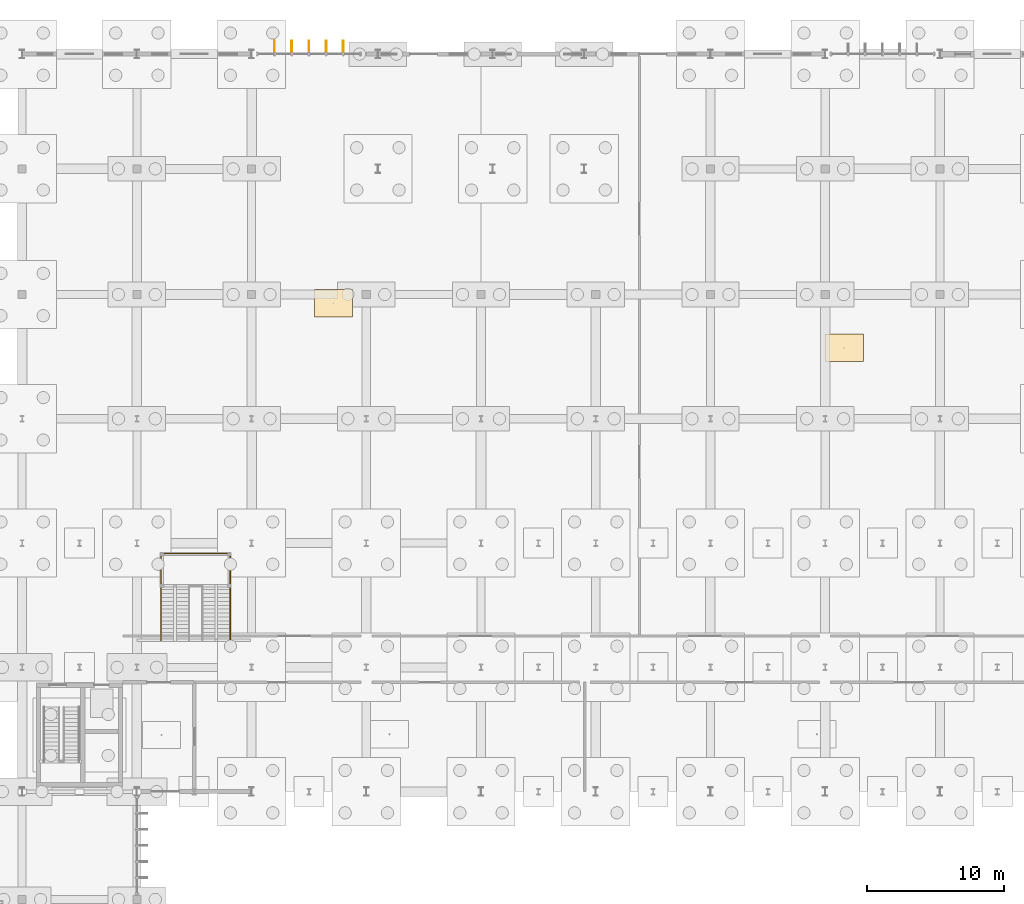
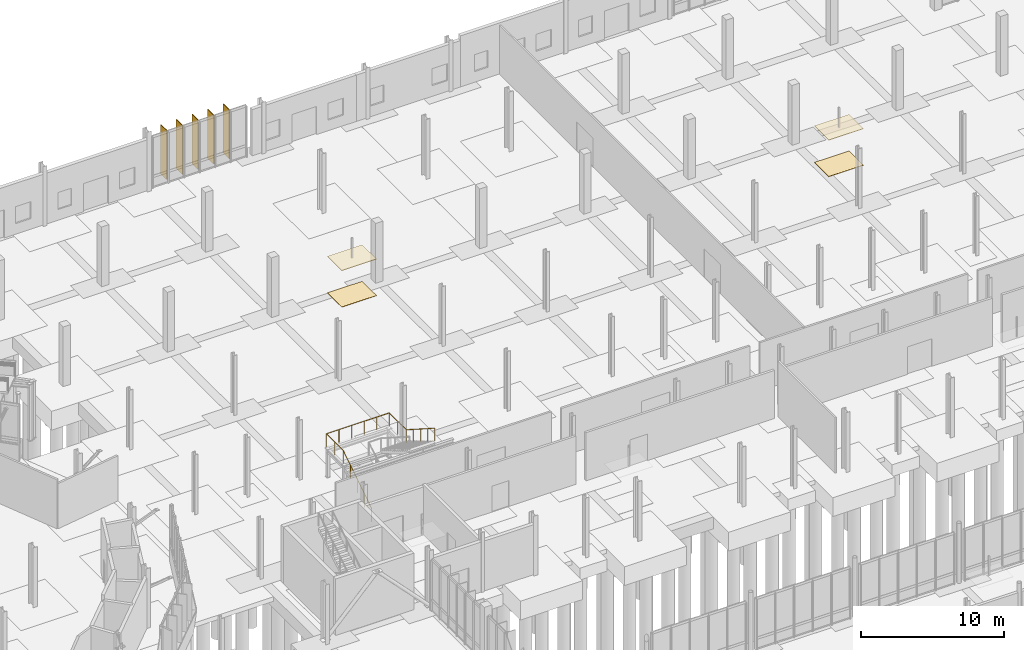
# One storey, part 115 of 119: 5 shading devices, 4 coverings, 1 railing.
"""IFC4 building model written with IfcOpenShell, lengths in metres."""

from ifc_helpers import new_model, si_unit, derived_unit, direction, frame, origin, origin_2d, place, context, subcontext, project, spatial, polyline, rectangle, circle, outline, extrude, material, layer, layer_set, type_object, element, save


model = new_model("IFC4")

# Units and contexts
model_context = context("Model", 3, precision=1e-05, world=origin(), true_north=direction((0.0, 1.0)))
body_context = subcontext(model_context, "Body", "Model", "MODEL_VIEW")
ifc_project = project(units=[si_unit("LENGTHUNIT", "METRE"), si_unit("AREAUNIT", "SQUARE_METRE"), si_unit("VOLUMEUNIT", "CUBIC_METRE"), si_unit("PLANEANGLEUNIT", "RADIAN"), si_unit("MASSUNIT", "GRAM", prefix="KILO"), derived_unit("THERMALTRANSMITTANCEUNIT", [(si_unit("MASSUNIT", "GRAM", prefix="KILO"), 1), (si_unit("TIMEUNIT", "SECOND"), -3), (si_unit("THERMODYNAMICTEMPERATUREUNIT", "KELVIN"), -1)])], contexts=[model_context])

# Site, building, storey
site_placement = place(None, origin())
site = spatial("IfcSite", under=ifc_project, at=site_placement, CompositionType="ELEMENT")
building_placement = place(site_placement, origin())
building = spatial("IfcBuilding", under=site, at=building_placement, Name="Makaiwela Harbour Ferry Terminal", CompositionType="ELEMENT")
storey_placement = place(building_placement, origin())
storey = spatial("IfcBuildingStorey", under=building, at=storey_placement, Name="L00", CompositionType="ELEMENT", Elevation=0.0)

# Shading devices
ifc_material_1 = material(Name="Thermally modified Accoya timber and anodised aluminium", Category="wood")
ifc_layer_1 = layer(ifc_material_1, 0.06005859375)
ifc_layer_set_1 = layer_set([ifc_layer_1], Name="Thermally modified Accoya timber and anodised aluminium")
shading_device_type = type_object("IfcShadingDeviceType", Name="ENV-FIN-850", PredefinedType="USERDEFINED", material=ifc_layer_set_1)
for number, where, z_axis, x_axis, name in (
    (1, (81.47998046875, 103.93798828125, 0.1669921875), (0.0, 0.0, 1.0), (0.0, 1.0, 0.0), "Vertical Solar Fin SFN-0218"),
    (2, (82.739990234375, 103.93798828125, 0.1669921875), (0.0, 0.0, 1.0), (0.0, 1.0, 0.0), "Vertical Solar Fin SFN-0219"),
    (3, (84.0, 103.93798828125, 0.1669921875), (0.0, 0.0, 1.0), (0.0, 1.0, 0.0), "Vertical Solar Fin SFN-0220"),
    (4, (85.260009765625, 103.93798828125, 0.1669921875), (0.0, 0.0, 1.0), (0.0, 1.0, 0.0), "Vertical Solar Fin SFN-0221"),
    (5, (86.52001953125, 103.93798828125, 0.1669921875), (0.0, 0.0, 1.0), (0.0, 1.0, 0.0), "Vertical Solar Fin SFN-0222"),
):
    element("IfcShadingDevice", number, at=place(storey_placement, frame(where, z_axis=z_axis, x_axis=x_axis)), inside=storey, type_object=shading_device_type, Name=name, ObjectType="SOLAR FIN", PredefinedType="USERDEFINED", context=body_context, shape_type="SweptSolid", body=[
        extrude(rectangle(XDim=0.85009765625, YDim=0.06005859375, at=origin_2d()), origin(), (0.0, 0.0, 1.0), 4.18994140625),
    ])

# Coverings
ifc_material_2 = material(Name="Thermally modified Accoya timber acoustic slat ceiling", Category="wood")
ifc_layer_2 = layer(ifc_material_2, 0.0400390625)
ifc_layer_set_2 = layer_set([ifc_layer_2], Name="Thermally modified Accoya timber acoustic slat ceiling")
covering_type_1 = type_object("IfcCoveringType", Name="INT-COV-CEIL", PredefinedType="CEILING", material=ifc_layer_set_2)
covering_1_placement = place(storey_placement, frame((0.0, 0.0, 3.10009765625)))
element("IfcCovering", 6, at=covering_1_placement, inside=storey, type_object=covering_type_1, Name="Acoustic Timber Ceiling CLG-016", PredefinedType="CEILING", context=body_context, shape_type="SweptSolid", body=[
    extrude(outline(polyline([(84.39990234375, 84.14990234375), (87.199951171875, 84.14990234375), (87.199951171875, 86.14990234375), (84.39990234375, 86.14990234375), (84.39990234375, 84.14990234375)])), origin(), (0.0, 0.0, 1.0), 0.039794921875),
])
covering_2_placement = place(storey_placement, frame((0.0, 0.0, 3.10009765625)))
element("IfcCovering", 7, at=covering_2_placement, inside=storey, type_object=covering_type_1, Name="Acoustic Timber Ceiling CLG-017", PredefinedType="CEILING", context=body_context, shape_type="SweptSolid", body=[
    extrude(outline(polyline([(121.800048828125, 80.89990234375), (124.60009765625, 80.89990234375), (124.60009765625, 82.89990234375), (121.800048828125, 82.89990234375), (121.800048828125, 80.89990234375)])), origin(), (0.0, 0.0, 1.0), 0.039794921875),
])
ifc_material_3 = material(Name="Honed coral-aggregate epoxy terrazzo flooring", Category="concrete")
ifc_layer_3 = layer(ifc_material_3, 0.02490234375)
ifc_layer_set_3 = layer_set([ifc_layer_3], Name="Honed coral-aggregate epoxy terrazzo flooring")
covering_type_2 = type_object("IfcCoveringType", Name="INT-COV-FLR", PredefinedType="FLOORING", material=ifc_layer_set_3)
covering_3_placement = place(storey_placement, origin())
element("IfcCovering", 8, at=covering_3_placement, inside=storey, type_object=covering_type_2, Name="Terrazzo Flooring FLG-016", PredefinedType="FLOORING", context=body_context, shape_type="SweptSolid", body=[
    extrude(outline(polyline([(84.39990234375, 84.14990234375), (87.199951171875, 84.14990234375), (87.199951171875, 86.14990234375), (84.39990234375, 86.14990234375), (84.39990234375, 84.14990234375)])), origin(), (0.0, 0.0, 1.0), 0.02490234375),
])
covering_4_placement = place(storey_placement, origin())
element("IfcCovering", 9, at=covering_4_placement, inside=storey, type_object=covering_type_2, Name="Terrazzo Flooring FLG-017", PredefinedType="FLOORING", context=body_context, shape_type="SweptSolid", body=[
    extrude(outline(polyline([(121.800048828125, 80.89990234375), (124.60009765625, 80.89990234375), (124.60009765625, 82.89990234375), (121.800048828125, 82.89990234375), (121.800048828125, 80.89990234375)])), origin(), (0.0, 0.0, 1.0), 0.02490234375),
])

# Railing
ifc_material_4 = material(Name="Marine grade 316L brushed stainless steel", Category="steel")
railing_type = type_object("IfcRailingType", Name="INT-RL-GRD110", PredefinedType="GUARDRAIL", material=ifc_material_4)
railing_placement = place(storey_placement, frame((73.159912109375, 60.47998046875, 0.0)))
element("IfcRailing", 10, at=railing_placement, inside=storey, type_object=railing_type, Name="Freestanding stair outer guardrail RL-0095", PredefinedType="GUARDRAIL", context=body_context, shape_type="SweptSolid", body=[
    extrude(circle(Radius=0.02392578125, at=origin_2d()), frame((0.0, 0.0, 1.09619140625), z_axis=(0.0, 0.842611129269, 0.538522501696), x_axis=(-1.0, 0.0, 0.0)), (0.0, 0.0, 1.0), 4.7353515625),
    extrude(circle(Radius=0.02392578125, at=origin_2d()), frame((0.0, 3.989990234375, 3.64599609375), z_axis=(0.0, 1.0, 0.0), x_axis=(-1.0, 0.0, 0.0)), (0.0, 0.0, 1.0), 2.3701171875),
    extrude(circle(Radius=0.02392578125, at=origin_2d()), frame((0.0, 6.360107421875, 3.64599609375), z_axis=(1.0, 0.0, 0.0), x_axis=(0.0, 1.0, 0.0)), (0.0, 0.0, 1.0), 5.080078125),
    extrude(circle(Radius=0.02392578125, at=origin_2d()), frame((5.080078125, 6.360107421875, 3.64599609375), z_axis=(0.0, -1.0, 0.0), x_axis=(1.0, 0.0, 0.0)), (0.0, 0.0, 1.0), 2.3701171875),
    extrude(circle(Radius=0.02392578125, at=origin_2d()), frame((5.080078125, 3.989990234375, 3.64599609375), z_axis=(0.0, -0.842611129269, 0.538522501696), x_axis=(1.0, 0.0, 0.0)), (0.0, 0.0, 1.0), 4.7353515625),
    extrude(circle(Radius=0.02099609375, at=origin_2d()), origin(), (0.0, 0.0, 1.0), 1.072021484375),
    extrude(circle(Radius=0.02099609375, at=origin_2d()), frame((0.0, 0.99755859375, 0.637451171875)), (0.0, 0.0, 1.0), 1.072021484375),
    extrude(circle(Radius=0.02099609375, at=origin_2d()), frame((0.0, 1.9951171875, 1.27490234375)), (0.0, 0.0, 1.0), 1.072021484375),
    extrude(circle(Radius=0.02099609375, at=origin_2d()), frame((0.0, 2.992431640625, 1.91259765625)), (0.0, 0.0, 1.0), 1.072021484375),
    extrude(circle(Radius=0.02099609375, at=origin_2d()), frame((0.0, 3.989990234375, 2.550048828125)), (0.0, 0.0, 1.0), 1.072021484375),
    extrude(circle(Radius=0.02099609375, at=origin_2d()), frame((0.0, 5.175048828125, 2.550048828125)), (0.0, 0.0, 1.0), 1.072021484375),
    extrude(circle(Radius=0.02099609375, at=origin_2d()), frame((0.0, 6.360107421875, 2.550048828125)), (0.0, 0.0, 1.0), 1.072021484375),
    extrude(circle(Radius=0.02099609375, at=origin_2d()), frame((1.01611328125, 6.360107421875, 2.550048828125)), (0.0, 0.0, 1.0), 1.072021484375),
    extrude(circle(Radius=0.02099609375, at=origin_2d()), frame((2.031982421875, 6.360107421875, 2.550048828125)), (0.0, 0.0, 1.0), 1.072021484375),
    extrude(circle(Radius=0.02099609375, at=origin_2d()), frame((3.048095703125, 6.360107421875, 2.550048828125)), (0.0, 0.0, 1.0), 1.072021484375),
    extrude(circle(Radius=0.02099609375, at=origin_2d()), frame((4.06396484375, 6.360107421875, 2.550048828125)), (0.0, 0.0, 1.0), 1.072021484375),
    extrude(circle(Radius=0.02099609375, at=origin_2d()), frame((5.080078125, 6.360107421875, 2.550048828125)), (0.0, 0.0, 1.0), 1.072021484375),
    extrude(circle(Radius=0.02099609375, at=origin_2d()), frame((5.080078125, 5.175048828125, 2.550048828125)), (0.0, 0.0, 1.0), 1.072021484375),
    extrude(circle(Radius=0.02099609375, at=origin_2d()), frame((5.080078125, 3.989990234375, 2.550048828125)), (0.0, 0.0, 1.0), 1.072021484375),
    extrude(circle(Radius=0.02099609375, at=origin_2d()), frame((5.080078125, 2.992431640625, 3.1875)), (0.0, 0.0, 1.0), 1.072021484375),
    extrude(circle(Radius=0.02099609375, at=origin_2d()), frame((5.080078125, 1.9951171875, 3.8251953125)), (0.0, 0.0, 1.0), 1.072021484375),
    extrude(circle(Radius=0.02099609375, at=origin_2d()), frame((5.080078125, 0.99755859375, 4.462646484375)), (0.0, 0.0, 1.0), 1.072021484375),
    extrude(circle(Radius=0.02099609375, at=origin_2d()), frame((5.080078125, 0.0, 5.10009765625)), (0.0, 0.0, 1.0), 1.072021484375),
])

save(model, "model.ifc")
